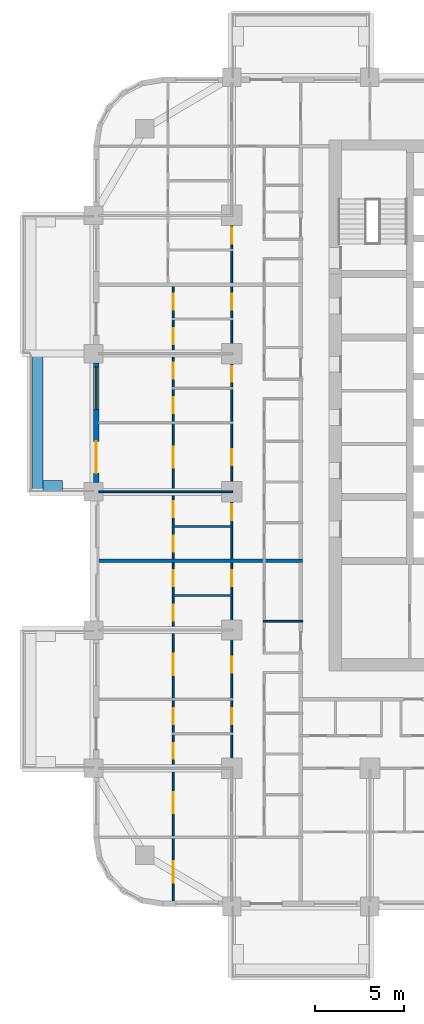
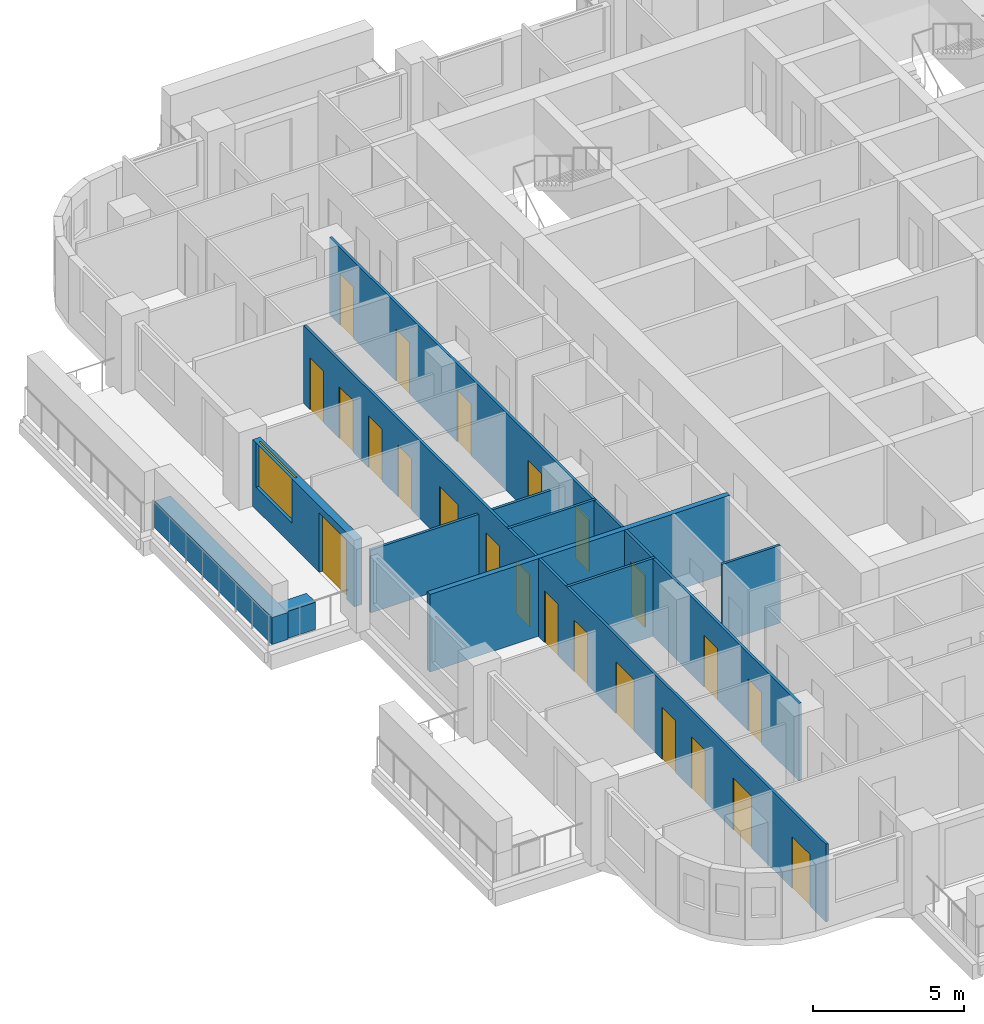
# One storey, part 5 of 18: 23 doors, 10 walls, 1 window, 24 openings.
"""IFC4 building model written with IfcOpenShell, lengths in metres."""

from ifc_helpers import new_model, si_unit, direction, frame, frame_2d, origin, place, context, subcontext, project, spatial, rectangle, extrude, material, layer, layer_set, type_object, element, fill, save


model = new_model("IFC4")

# Units and contexts
model_context = context("Model", 3, precision=1e-05, world=origin(), true_north=direction((0.0, 1.0)))
body_context = subcontext(model_context, "Body", "Model", "MODEL_VIEW")
ifc_project = project(units=[si_unit("LENGTHUNIT", "METRE"), si_unit("AREAUNIT", "SQUARE_METRE"), si_unit("VOLUMEUNIT", "CUBIC_METRE"), si_unit("PLANEANGLEUNIT", "RADIAN"), si_unit("MASSUNIT", "GRAM", prefix="KILO")], contexts=[model_context])

# Site, building, storey
site_placement = place(None, origin())
site = spatial("IfcSite", under=ifc_project, at=site_placement, CompositionType="ELEMENT")
building_placement = place(site_placement, origin())
building = spatial("IfcBuilding", under=site, at=building_placement, Name="Ludao Terraces", CompositionType="ELEMENT")
storey_placement = place(building_placement, frame((0.0, 0.0, 29.699951171875)))
storey = spatial("IfcBuildingStorey", under=building, at=storey_placement, Name="L07", CompositionType="ELEMENT", Elevation=29.699951171875)

# Walls
ifc_material_1 = material(Name="Concrete C40", Category="concrete")
ifc_layer_1 = layer(ifc_material_1, 0.60009765625)
ifc_layer_set_1 = layer_set([ifc_layer_1], Name="ENV Planter trough 600")
wall_type_1 = type_object("IfcWallType", Name="ENV Planter trough 600", PredefinedType="USERDEFINED", material=ifc_layer_set_1)
wall_1_placement = place(storey_placement, frame((58.449951171875, 65.0, 0.0), z_axis=(0.0, 0.0, 1.0), x_axis=(0.0, 1.0, 0.0)))
element("IfcWall", 1, at=wall_1_placement, inside=storey, type_object=wall_type_1, Name="PL-L07-W3", ObjectType="PLANTER", PredefinedType="USERDEFINED", context=body_context, shape_type="SweptSolid", body=[
    extrude(rectangle(XDim=7.800048828125, YDim=0.60009765625, at=frame_2d((3.89990234375, 0.0))), origin(), (0.0, 0.0, 1.0), 1.10009765625),
])
wall_2_placement = place(storey_placement, frame((58.75, 65.35009765625, 0.0), z_axis=(0.0, 0.0, 1.0), x_axis=(1.0, 0.0, 0.0)))
element("IfcWall", 2, at=wall_2_placement, inside=storey, type_object=wall_type_1, Name="PL-L07-W3-SA", ObjectType="PLANTER", PredefinedType="USERDEFINED", context=body_context, shape_type="SweptSolid", body=[
    extrude(rectangle(XDim=1.10009765625, YDim=0.60009765625, at=frame_2d((0.550048828125, 0.0))), origin(), (0.0, 0.0, 1.0), 1.10009765625),
])

# Wall, openings, door, window
ifc_material_2 = material(Name="Granite cladding", Category="masonry")
ifc_layer_2 = layer(ifc_material_2, 0.0400390625, Category="stone")
ifc_material_3 = material(Name="Mineral wool")
ifc_layer_3 = layer(ifc_material_3, 0.06005859375)
ifc_layer_4 = layer(ifc_material_1, 0.199951171875, Category="concrete")
ifc_layer_set_2 = layer_set([ifc_layer_2, ifc_layer_3, ifc_layer_4], Name="ENV Stone-clad wall 300")
wall_type_2 = type_object("IfcWallType", Name="ENV Stone-clad wall 300", PredefinedType="SOLIDWALL", material=ifc_layer_set_2)
wall_3_placement = place(storey_placement, frame((61.75, 65.52490234375, 0.0), z_axis=(0.0, 0.0, 1.0), x_axis=(0.0, 1.0, 0.0)))
wall_3 = element("IfcWall", 3, at=wall_3_placement, inside=storey, type_object=wall_type_2, Name="EW-L07-W4", PredefinedType="SOLIDWALL", context=body_context, shape_type="SweptSolid", body=[
    extrude(rectangle(XDim=6.75, YDim=0.300048828125, at=frame_2d((3.375, 0.0))), origin(), (0.0, 0.0, 1.0), 2.699951171875),
])
opening_1_placement = place(wall_3_placement, frame((0.52490234375, 0.0, 0.0)))
opening_1 = element("IfcOpeningElement", 4, at=opening_1_placement, cuts=wall_3, Name="Opening BD", PredefinedType="OPENING", context=body_context, shape_type="SweptSolid", body=[
    extrude(rectangle(XDim=1.800048828125, YDim=2.39990234375, at=frame_2d((0.89990234375, 1.199951171875))), frame((0.0, 0.16015625, 0.0), z_axis=(0.0, -1.0, 0.0), x_axis=(1.0, 0.0, 0.0)), (0.0, 0.0, 1.0), 0.320068359375),
])
opening_2_placement = place(wall_3_placement, frame((4.125, 0.0, 0.89990234375)))
opening_2 = element("IfcOpeningElement", 5, at=opening_2_placement, cuts=wall_3, Name="Opening W1", PredefinedType="OPENING", context=body_context, shape_type="SweptSolid", body=[
    extrude(rectangle(XDim=2.39990234375, YDim=1.800048828125, at=frame_2d((1.199951171875, 0.89990234375))), frame((0.0, 0.16015625, 0.0), z_axis=(0.0, -1.0, 0.0), x_axis=(1.0, 0.0, 0.0)), (0.0, 0.0, 1.0), 0.320068359375),
])
ifc_material_4 = material(Name="Aluminium glazed door", Category="aluminium")
ifc_layer_5 = layer(ifc_material_4, 0.06005859375)
ifc_layer_set_3 = layer_set([ifc_layer_5], Name="ENV Balcony door BD 1800x2400")
door_type_1 = type_object("IfcDoorType", Name="ENV Balcony door BD 1800x2400", OperationType="DOUBLE_DOOR_SINGLE_SWING", PredefinedType="DOOR", material=ifc_layer_set_3)
door_1_placement = place(opening_1_placement, origin())
door_1 = element("IfcDoor", 6, at=door_1_placement, inside=storey, type_object=door_type_1, Name="BD-L07-W4-1", OperationType="DOUBLE_DOOR_SINGLE_SWING", OverallHeight=2.39990234375, OverallWidth=1.800048828125, PredefinedType="DOOR", context=body_context, shape_type="SweptSolid", body=[
    extrude(rectangle(XDim=1.800048828125, YDim=2.39990234375, at=frame_2d((0.89990234375, 1.199951171875))), frame((0.0, 0.02490234375, 0.0), z_axis=(0.0, -1.0, 0.0), x_axis=(1.0, 0.0, 0.0)), (0.0, 0.0, 1.0), 0.050048828125),
])
fill(opening_1, door_1)
ifc_material_5 = material(Name="Clear glass in aluminium frame", Category="aluminium")
ifc_layer_6 = layer(ifc_material_5, 0.06005859375)
ifc_layer_set_4 = layer_set([ifc_layer_6], Name="ENV Window W1 2400x1800")
window_type = type_object("IfcWindowType", Name="ENV Window W1 2400x1800", PartitioningType="DOUBLE_PANEL_VERTICAL", PredefinedType="WINDOW", material=ifc_layer_set_4)
window_placement = place(opening_2_placement, origin())
window = element("IfcWindow", 7, at=window_placement, inside=storey, type_object=window_type, Name="W-L07-W4-2", OverallHeight=1.800048828125, OverallWidth=2.39990234375, PartitioningType="DOUBLE_PANEL_VERTICAL", PredefinedType="WINDOW", context=body_context, shape_type="SweptSolid", body=[
    extrude(rectangle(XDim=2.39990234375, YDim=1.800048828125, at=frame_2d((1.199951171875, 0.89990234375))), frame((0.0, 0.030029296875, 0.0), z_axis=(0.0, -1.0, 0.0), x_axis=(1.0, 0.0, 0.0)), (0.0, 0.0, 1.0), 0.06005859375),
])
fill(opening_2, window)

# Walls
ifc_material_6 = material(Name="Gypsum plasterboard", Category="gypsum")
ifc_layer_7 = layer(ifc_material_6, 0.012451171875, Category="gypsum")
ifc_layer_8 = layer(ifc_material_3, 0.06005859375, Name="insulation")
ifc_material_7 = material(Name="Steel Q235", Category="steel")
ifc_layer_9 = layer(ifc_material_7, 0.014892578125, Name="stud")
ifc_layer_10 = layer(ifc_material_6, 0.012451171875, Category="gypsum")
ifc_layer_set_5 = layer_set([ifc_layer_7, ifc_layer_8, ifc_layer_9, ifc_layer_10], Name="INT Partition 100")
wall_type_3 = type_object("IfcWallType", Name="INT Partition 100", PredefinedType="PARTITIONING", material=ifc_layer_set_5)
wall_4_placement = place(storey_placement, frame((71.18017578125, 57.699951171875, 0.0), z_axis=(0.0, 0.0, 1.0), x_axis=(1.0, 0.0, 0.0)))
element("IfcWall", 8, at=wall_4_placement, inside=storey, type_object=wall_type_3, Name="PW-L07-PW027", PredefinedType="PARTITIONING", context=body_context, shape_type="SweptSolid", body=[
    extrude(rectangle(XDim=2.219970703125, YDim=0.10009765625, at=frame_2d((1.10986328125, 0.0))), origin(), (0.0, 0.0, 1.0), 3.150146484375),
])
for number, where, z_axis, x_axis, name in (
    (9, (66.050048828125, 59.14990234375, 0.0), (0.0, 0.0, 1.0), (1.0, 0.0, 0.0), "PW-L07-PW029"),
    (10, (66.050048828125, 63.050048828125, 0.0), (0.0, 0.0, 1.0), (1.0, 0.0, 0.0), "PW-L07-PW034"),
):
    element("IfcWall", number, at=place(storey_placement, frame(where, z_axis=z_axis, x_axis=x_axis)), inside=storey, type_object=wall_type_3, Name=name, PredefinedType="PARTITIONING", context=body_context, shape_type="SweptSolid", body=[
        extrude(rectangle(XDim=3.400146484375, YDim=0.10009765625, at=frame_2d((1.7001953125, 0.0))), origin(), (0.0, 0.0, 1.0), 3.150146484375),
    ])
wall_5_placement = place(storey_placement, frame((61.900146484375, 65.0, 0.0), z_axis=(0.0, 0.0, 1.0), x_axis=(1.0, 0.0, 0.0)))
element("IfcWall", 11, at=wall_5_placement, inside=storey, type_object=wall_type_3, Name="PW-L07-PW038", PredefinedType="PARTITIONING", context=body_context, shape_type="SweptSolid", body=[
    extrude(rectangle(XDim=7.550048828125, YDim=0.10009765625, at=frame_2d((3.77490234375, 0.0))), origin(), (0.0, 0.0, 1.0), 2.550048828125),
])

# Wall, openings, doors
wall_6_placement = place(storey_placement, frame((66.10009765625, 41.900146484375, 0.0), z_axis=(0.0, 0.0, 1.0), x_axis=(0.0, 1.0, 0.0)))
wall_6 = element("IfcWall", 12, at=wall_6_placement, inside=storey, type_object=wall_type_3, Name="PW-L07-PW082", PredefinedType="PARTITIONING", context=body_context, shape_type="SweptSolid", body=[
    extrude(rectangle(XDim=34.699951171875, YDim=0.10009765625, at=frame_2d((17.35009765625, 0.0))), origin(), (0.0, 0.0, 1.0), 3.150146484375),
])
opening_3_placement = place(wall_6_placement, frame((1.050048828125, 0.0, 0.0)))
opening_3 = element("IfcOpeningElement", 13, at=opening_3_placement, cuts=wall_6, Name="Opening R02-001", PredefinedType="OPENING", context=body_context, shape_type="SweptSolid", body=[
    extrude(rectangle(XDim=1.199951171875, YDim=2.10009765625, at=frame_2d((0.60009765625, 1.050048828125))), frame((0.0, 0.06005859375, 0.0), z_axis=(0.0, -1.0, 0.0), x_axis=(1.0, 0.0, 0.0)), (0.0, 0.0, 1.0), 0.1201171875),
])
opening_4_placement = place(wall_6_placement, frame((4.949951171875, 0.0, 0.0)))
opening_4 = element("IfcOpeningElement", 14, at=opening_4_placement, cuts=wall_6, Name="Opening R02-018", PredefinedType="OPENING", context=body_context, shape_type="SweptSolid", body=[
    extrude(rectangle(XDim=1.199951171875, YDim=2.10009765625, at=frame_2d((0.60009765625, 1.050048828125))), frame((0.0, 0.06005859375, 0.0), z_axis=(0.0, -1.0, 0.0), x_axis=(1.0, 0.0, 0.0)), (0.0, 0.0, 1.0), 0.1201171875),
])
opening_5_placement = place(wall_6_placement, frame((8.02490234375, 0.0, 0.0)))
opening_5 = element("IfcOpeningElement", 15, at=opening_5_placement, cuts=wall_6, Name="Opening R02-030", PredefinedType="OPENING", context=body_context, shape_type="SweptSolid", body=[
    extrude(rectangle(XDim=0.89990234375, YDim=2.10009765625, at=frame_2d((0.449951171875, 1.050048828125))), frame((0.0, 0.06005859375, 0.0), z_axis=(0.0, -1.0, 0.0), x_axis=(1.0, 0.0, 0.0)), (0.0, 0.0, 1.0), 0.1201171875),
])
opening_6_placement = place(wall_6_placement, frame((9.97509765625, 0.0, 0.0)))
opening_6 = element("IfcOpeningElement", 16, at=opening_6_placement, cuts=wall_6, Name="Opening R02-043", PredefinedType="OPENING", context=body_context, shape_type="SweptSolid", body=[
    extrude(rectangle(XDim=0.89990234375, YDim=2.10009765625, at=frame_2d((0.449951171875, 1.050048828125))), frame((0.0, 0.06005859375, 0.0), z_axis=(0.0, -1.0, 0.0), x_axis=(1.0, 0.0, 0.0)), (0.0, 0.0, 1.0), 0.1201171875),
])
opening_7_placement = place(wall_6_placement, frame((12.75, 0.0, 0.0)))
opening_7 = element("IfcOpeningElement", 17, at=opening_7_placement, cuts=wall_6, Name="Opening R02-051", PredefinedType="OPENING", context=body_context, shape_type="SweptSolid", body=[
    extrude(rectangle(XDim=1.199951171875, YDim=2.10009765625, at=frame_2d((0.60009765625, 1.050048828125))), frame((0.0, 0.06005859375, 0.0), z_axis=(0.0, -1.0, 0.0), x_axis=(1.0, 0.0, 0.0)), (0.0, 0.0, 1.0), 0.1201171875),
])
opening_8_placement = place(wall_6_placement, frame((15.824951171875, 0.0, 0.0)))
opening_8 = element("IfcOpeningElement", 18, at=opening_8_placement, cuts=wall_6, Name="Opening R02-063", PredefinedType="OPENING", context=body_context, shape_type="SweptSolid", body=[
    extrude(rectangle(XDim=0.89990234375, YDim=2.10009765625, at=frame_2d((0.449951171875, 1.050048828125))), frame((0.0, 0.06005859375, 0.0), z_axis=(0.0, -1.0, 0.0), x_axis=(1.0, 0.0, 0.0)), (0.0, 0.0, 1.0), 0.1201171875),
])
opening_9_placement = place(wall_6_placement, frame((17.77490234375, 0.0, 0.0)))
opening_9 = element("IfcOpeningElement", 19, at=opening_9_placement, cuts=wall_6, Name="Opening R02-067", PredefinedType="OPENING", context=body_context, shape_type="SweptSolid", body=[
    extrude(rectangle(XDim=0.89990234375, YDim=2.10009765625, at=frame_2d((0.449951171875, 1.050048828125))), frame((0.0, 0.06005859375, 0.0), z_axis=(0.0, -1.0, 0.0), x_axis=(1.0, 0.0, 0.0)), (0.0, 0.0, 1.0), 0.1201171875),
])
opening_10_placement = place(wall_6_placement, frame((19.72509765625, 0.0, 0.0)))
opening_10 = element("IfcOpeningElement", 20, at=opening_10_placement, cuts=wall_6, Name="Opening R02-072", PredefinedType="OPENING", context=body_context, shape_type="SweptSolid", body=[
    extrude(rectangle(XDim=0.89990234375, YDim=2.10009765625, at=frame_2d((0.449951171875, 1.050048828125))), frame((0.0, 0.06005859375, 0.0), z_axis=(0.0, -1.0, 0.0), x_axis=(1.0, 0.0, 0.0)), (0.0, 0.0, 1.0), 0.1201171875),
])
opening_11_placement = place(wall_6_placement, frame((21.675048828125, 0.0, 0.0)))
opening_11 = element("IfcOpeningElement", 21, at=opening_11_placement, cuts=wall_6, Name="Opening R02-081", PredefinedType="OPENING", context=body_context, shape_type="SweptSolid", body=[
    extrude(rectangle(XDim=0.89990234375, YDim=2.10009765625, at=frame_2d((0.449951171875, 1.050048828125))), frame((0.0, 0.06005859375, 0.0), z_axis=(0.0, -1.0, 0.0), x_axis=(1.0, 0.0, 0.0)), (0.0, 0.0, 1.0), 0.1201171875),
])
opening_12_placement = place(wall_6_placement, frame((24.449951171875, 0.0, 0.0)))
opening_12 = element("IfcOpeningElement", 22, at=opening_12_placement, cuts=wall_6, Name="Opening R02-089", PredefinedType="OPENING", context=body_context, shape_type="SweptSolid", body=[
    extrude(rectangle(XDim=1.199951171875, YDim=2.10009765625, at=frame_2d((0.60009765625, 1.050048828125))), frame((0.0, 0.06005859375, 0.0), z_axis=(0.0, -1.0, 0.0), x_axis=(1.0, 0.0, 0.0)), (0.0, 0.0, 1.0), 0.1201171875),
])
opening_13_placement = place(wall_6_placement, frame((27.52490234375, 0.0, 0.0)))
opening_13 = element("IfcOpeningElement", 23, at=opening_13_placement, cuts=wall_6, Name="Opening R02-100", PredefinedType="OPENING", context=body_context, shape_type="SweptSolid", body=[
    extrude(rectangle(XDim=0.89990234375, YDim=2.10009765625, at=frame_2d((0.449951171875, 1.050048828125))), frame((0.0, 0.06005859375, 0.0), z_axis=(0.0, -1.0, 0.0), x_axis=(1.0, 0.0, 0.0)), (0.0, 0.0, 1.0), 0.1201171875),
])
opening_14_placement = place(wall_6_placement, frame((29.47509765625, 0.0, 0.0)))
opening_14 = element("IfcOpeningElement", 24, at=opening_14_placement, cuts=wall_6, Name="Opening R02-106", PredefinedType="OPENING", context=body_context, shape_type="SweptSolid", body=[
    extrude(rectangle(XDim=0.89990234375, YDim=2.10009765625, at=frame_2d((0.449951171875, 1.050048828125))), frame((0.0, 0.06005859375, 0.0), z_axis=(0.0, -1.0, 0.0), x_axis=(1.0, 0.0, 0.0)), (0.0, 0.0, 1.0), 0.1201171875),
])
opening_15_placement = place(wall_6_placement, frame((31.425048828125, 0.0, 0.0)))
opening_15 = element("IfcOpeningElement", 25, at=opening_15_placement, cuts=wall_6, Name="Opening R02-113", PredefinedType="OPENING", context=body_context, shape_type="SweptSolid", body=[
    extrude(rectangle(XDim=0.89990234375, YDim=2.10009765625, at=frame_2d((0.449951171875, 1.050048828125))), frame((0.0, 0.06005859375, 0.0), z_axis=(0.0, -1.0, 0.0), x_axis=(1.0, 0.0, 0.0)), (0.0, 0.0, 1.0), 0.1201171875),
])
opening_16_placement = place(wall_6_placement, frame((33.375, 0.0, 0.0)))
opening_16 = element("IfcOpeningElement", 26, at=opening_16_placement, cuts=wall_6, Name="Opening R02-122", PredefinedType="OPENING", context=body_context, shape_type="SweptSolid", body=[
    extrude(rectangle(XDim=0.89990234375, YDim=2.10009765625, at=frame_2d((0.449951171875, 1.050048828125))), frame((0.0, 0.06005859375, 0.0), z_axis=(0.0, -1.0, 0.0), x_axis=(1.0, 0.0, 0.0)), (0.0, 0.0, 1.0), 0.1201171875),
])
ifc_material_8 = material(Name="Timber door leaf", Category="wood")
door_type_2 = type_object("IfcDoorType", Name="INT Bathroom door 900", OperationType="SINGLE_SWING_LEFT", PredefinedType="DOOR", material=ifc_material_8)
door_2_placement = place(opening_5_placement, origin())
door_2 = element("IfcDoor", 27, at=door_2_placement, inside=storey, type_object=door_type_2, Name="DOOR 030", OperationType="SINGLE_SWING_RIGHT", OverallHeight=2.10009765625, OverallWidth=0.89990234375, PredefinedType="DOOR", context=body_context, shape_type="SweptSolid", body=[
    extrude(rectangle(XDim=0.89990234375, YDim=2.10009765625, at=frame_2d((0.449951171875, 1.050048828125))), frame((0.0, 0.02490234375, 0.0), z_axis=(0.0, -1.0, 0.0), x_axis=(1.0, 0.0, 0.0)), (0.0, 0.0, 1.0), 0.050048828125),
])
fill(opening_5, door_2)
door_3_placement = place(opening_8_placement, origin())
door_3 = element("IfcDoor", 28, at=door_3_placement, inside=storey, type_object=door_type_2, Name="DOOR 063", OperationType="SINGLE_SWING_LEFT", OverallHeight=2.10009765625, OverallWidth=0.89990234375, PredefinedType="DOOR", context=body_context, shape_type="SweptSolid", body=[
    extrude(rectangle(XDim=0.89990234375, YDim=2.10009765625, at=frame_2d((0.449951171875, 1.050048828125))), frame((0.0, 0.02490234375, 0.0), z_axis=(0.0, -1.0, 0.0), x_axis=(1.0, 0.0, 0.0)), (0.0, 0.0, 1.0), 0.050048828125),
])
fill(opening_8, door_3)
door_4_placement = place(opening_10_placement, origin())
door_4 = element("IfcDoor", 29, at=door_4_placement, inside=storey, type_object=door_type_2, Name="DOOR 072", OperationType="SINGLE_SWING_RIGHT", OverallHeight=2.10009765625, OverallWidth=0.89990234375, PredefinedType="DOOR", context=body_context, shape_type="SweptSolid", body=[
    extrude(rectangle(XDim=0.89990234375, YDim=2.10009765625, at=frame_2d((0.449951171875, 1.050048828125))), frame((0.0, 0.02490234375, 0.0), z_axis=(0.0, -1.0, 0.0), x_axis=(1.0, 0.0, 0.0)), (0.0, 0.0, 1.0), 0.050048828125),
])
fill(opening_10, door_4)
door_5_placement = place(opening_13_placement, origin())
door_5 = element("IfcDoor", 30, at=door_5_placement, inside=storey, type_object=door_type_2, Name="DOOR 100", OperationType="SINGLE_SWING_RIGHT", OverallHeight=2.10009765625, OverallWidth=0.89990234375, PredefinedType="DOOR", context=body_context, shape_type="SweptSolid", body=[
    extrude(rectangle(XDim=0.89990234375, YDim=2.10009765625, at=frame_2d((0.449951171875, 1.050048828125))), frame((0.0, 0.02490234375, 0.0), z_axis=(0.0, -1.0, 0.0), x_axis=(1.0, 0.0, 0.0)), (0.0, 0.0, 1.0), 0.050048828125),
])
fill(opening_13, door_5)
door_6_placement = place(opening_15_placement, origin())
door_6 = element("IfcDoor", 31, at=door_6_placement, inside=storey, type_object=door_type_2, Name="DOOR 113", OperationType="SINGLE_SWING_RIGHT", OverallHeight=2.10009765625, OverallWidth=0.89990234375, PredefinedType="DOOR", context=body_context, shape_type="SweptSolid", body=[
    extrude(rectangle(XDim=0.89990234375, YDim=2.10009765625, at=frame_2d((0.449951171875, 1.050048828125))), frame((0.0, 0.02490234375, 0.0), z_axis=(0.0, -1.0, 0.0), x_axis=(1.0, 0.0, 0.0)), (0.0, 0.0, 1.0), 0.050048828125),
])
fill(opening_15, door_6)
door_type_3 = type_object("IfcDoorType", Name="INT Double door 1200", OperationType="DOUBLE_DOOR_SINGLE_SWING", PredefinedType="DOOR", material=ifc_material_8)
door_7_placement = place(opening_3_placement, origin())
door_7 = element("IfcDoor", 32, at=door_7_placement, inside=storey, type_object=door_type_3, Name="DOOR 001", OperationType="DOUBLE_DOOR_SINGLE_SWING", OverallHeight=2.10009765625, OverallWidth=1.199951171875, PredefinedType="DOOR", context=body_context, shape_type="SweptSolid", body=[
    extrude(rectangle(XDim=1.199951171875, YDim=2.10009765625, at=frame_2d((0.60009765625, 1.050048828125))), frame((0.0, 0.02490234375, 0.0), z_axis=(0.0, -1.0, 0.0), x_axis=(1.0, 0.0, 0.0)), (0.0, 0.0, 1.0), 0.050048828125),
])
fill(opening_3, door_7)
door_8_placement = place(opening_4_placement, origin())
door_8 = element("IfcDoor", 33, at=door_8_placement, inside=storey, type_object=door_type_3, Name="DOOR 018", OperationType="DOUBLE_DOOR_SINGLE_SWING", OverallHeight=2.10009765625, OverallWidth=1.199951171875, PredefinedType="DOOR", context=body_context, shape_type="SweptSolid", body=[
    extrude(rectangle(XDim=1.199951171875, YDim=2.10009765625, at=frame_2d((0.60009765625, 1.050048828125))), frame((0.0, 0.02490234375, 0.0), z_axis=(0.0, -1.0, 0.0), x_axis=(1.0, 0.0, 0.0)), (0.0, 0.0, 1.0), 0.050048828125),
])
fill(opening_4, door_8)
door_9_placement = place(opening_7_placement, origin())
door_9 = element("IfcDoor", 34, at=door_9_placement, inside=storey, type_object=door_type_3, Name="DOOR 051", OperationType="DOUBLE_DOOR_SINGLE_SWING", OverallHeight=2.10009765625, OverallWidth=1.199951171875, PredefinedType="DOOR", context=body_context, shape_type="SweptSolid", body=[
    extrude(rectangle(XDim=1.199951171875, YDim=2.10009765625, at=frame_2d((0.60009765625, 1.050048828125))), frame((0.0, 0.02490234375, 0.0), z_axis=(0.0, -1.0, 0.0), x_axis=(1.0, 0.0, 0.0)), (0.0, 0.0, 1.0), 0.050048828125),
])
fill(opening_7, door_9)
door_10_placement = place(opening_12_placement, origin())
door_10 = element("IfcDoor", 35, at=door_10_placement, inside=storey, type_object=door_type_3, Name="DOOR 089", OperationType="DOUBLE_DOOR_SINGLE_SWING", OverallHeight=2.10009765625, OverallWidth=1.199951171875, PredefinedType="DOOR", context=body_context, shape_type="SweptSolid", body=[
    extrude(rectangle(XDim=1.199951171875, YDim=2.10009765625, at=frame_2d((0.60009765625, 1.050048828125))), frame((0.0, 0.02490234375, 0.0), z_axis=(0.0, -1.0, 0.0), x_axis=(1.0, 0.0, 0.0)), (0.0, 0.0, 1.0), 0.050048828125),
])
fill(opening_12, door_10)
door_type_4 = type_object("IfcDoorType", Name="INT Room door 900", OperationType="SINGLE_SWING_LEFT", PredefinedType="DOOR", material=ifc_material_8)
door_11_placement = place(opening_6_placement, origin())
door_11 = element("IfcDoor", 36, at=door_11_placement, inside=storey, type_object=door_type_4, Name="DOOR 043", OperationType="SINGLE_SWING_RIGHT", OverallHeight=2.10009765625, OverallWidth=0.89990234375, PredefinedType="DOOR", context=body_context, shape_type="SweptSolid", body=[
    extrude(rectangle(XDim=0.89990234375, YDim=2.10009765625, at=frame_2d((0.449951171875, 1.050048828125))), frame((0.0, 0.02490234375, 0.0), z_axis=(0.0, -1.0, 0.0), x_axis=(1.0, 0.0, 0.0)), (0.0, 0.0, 1.0), 0.050048828125),
])
fill(opening_6, door_11)
door_12_placement = place(opening_9_placement, origin())
door_12 = element("IfcDoor", 37, at=door_12_placement, inside=storey, type_object=door_type_4, Name="DOOR 067", OperationType="SINGLE_SWING_LEFT", OverallHeight=2.10009765625, OverallWidth=0.89990234375, PredefinedType="DOOR", context=body_context, shape_type="SweptSolid", body=[
    extrude(rectangle(XDim=0.89990234375, YDim=2.10009765625, at=frame_2d((0.449951171875, 1.050048828125))), frame((0.0, 0.02490234375, 0.0), z_axis=(0.0, -1.0, 0.0), x_axis=(1.0, 0.0, 0.0)), (0.0, 0.0, 1.0), 0.050048828125),
])
fill(opening_9, door_12)
door_13_placement = place(opening_11_placement, origin())
door_13 = element("IfcDoor", 38, at=door_13_placement, inside=storey, type_object=door_type_4, Name="DOOR 081", OperationType="SINGLE_SWING_RIGHT", OverallHeight=2.10009765625, OverallWidth=0.89990234375, PredefinedType="DOOR", context=body_context, shape_type="SweptSolid", body=[
    extrude(rectangle(XDim=0.89990234375, YDim=2.10009765625, at=frame_2d((0.449951171875, 1.050048828125))), frame((0.0, 0.02490234375, 0.0), z_axis=(0.0, -1.0, 0.0), x_axis=(1.0, 0.0, 0.0)), (0.0, 0.0, 1.0), 0.050048828125),
])
fill(opening_11, door_13)
door_14_placement = place(opening_14_placement, origin())
door_14 = element("IfcDoor", 39, at=door_14_placement, inside=storey, type_object=door_type_4, Name="DOOR 106", OperationType="SINGLE_SWING_LEFT", OverallHeight=2.10009765625, OverallWidth=0.89990234375, PredefinedType="DOOR", context=body_context, shape_type="SweptSolid", body=[
    extrude(rectangle(XDim=0.89990234375, YDim=2.10009765625, at=frame_2d((0.449951171875, 1.050048828125))), frame((0.0, 0.02490234375, 0.0), z_axis=(0.0, -1.0, 0.0), x_axis=(1.0, 0.0, 0.0)), (0.0, 0.0, 1.0), 0.050048828125),
])
fill(opening_14, door_14)
door_15_placement = place(opening_16_placement, origin())
door_15 = element("IfcDoor", 40, at=door_15_placement, inside=storey, type_object=door_type_4, Name="DOOR 122", OperationType="SINGLE_SWING_LEFT", OverallHeight=2.10009765625, OverallWidth=0.89990234375, PredefinedType="DOOR", context=body_context, shape_type="SweptSolid", body=[
    extrude(rectangle(XDim=0.89990234375, YDim=2.10009765625, at=frame_2d((0.449951171875, 1.050048828125))), frame((0.0, 0.02490234375, 0.0), z_axis=(0.0, -1.0, 0.0), x_axis=(1.0, 0.0, 0.0)), (0.0, 0.0, 1.0), 0.050048828125),
])
fill(opening_16, door_15)

wall_7_placement = place(storey_placement, frame((69.39990234375, 49.39990234375, 0.0), z_axis=(0.0, 0.0, 1.0), x_axis=(0.0, 1.0, 0.0)))
wall_7 = element("IfcWall", 41, at=wall_7_placement, inside=storey, type_object=wall_type_3, Name="PW-L07-PW083-2", PredefinedType="PARTITIONING", context=body_context, shape_type="SweptSolid", body=[
    extrude(rectangle(XDim=31.2001953125, YDim=0.10009765625, at=frame_2d((15.60009765625, 0.0))), origin(), (0.0, 0.0, 1.0), 3.150146484375),
])
opening_17_placement = place(wall_7_placement, frame((2.47509765625, 0.0, 0.0)))
opening_17 = element("IfcOpeningElement", 42, at=opening_17_placement, cuts=wall_7, Name="Opening R02-044", PredefinedType="OPENING", context=body_context, shape_type="SweptSolid", body=[
    extrude(rectangle(XDim=0.89990234375, YDim=2.10009765625, at=frame_2d((0.449951171875, 1.050048828125))), frame((0.0, 0.06005859375, 0.0), z_axis=(0.0, -1.0, 0.0), x_axis=(1.0, 0.0, 0.0)), (0.0, 0.0, 1.0), 0.1201171875),
])
opening_18_placement = place(wall_7_placement, frame((5.400146484375, 0.0, 0.0)))
opening_18 = element("IfcOpeningElement", 43, at=opening_18_placement, cuts=wall_7, Name="Opening R02-052", PredefinedType="OPENING", context=body_context, shape_type="SweptSolid", body=[
    extrude(rectangle(XDim=0.89990234375, YDim=2.10009765625, at=frame_2d((0.449951171875, 1.050048828125))), frame((0.0, 0.06005859375, 0.0), z_axis=(0.0, -1.0, 0.0), x_axis=(1.0, 0.0, 0.0)), (0.0, 0.0, 1.0), 0.1201171875),
])
opening_19_placement = place(wall_7_placement, frame((10.275146484375, 0.0, 0.0)))
opening_19 = element("IfcOpeningElement", 44, at=opening_19_placement, cuts=wall_7, Name="Opening R02-068", PredefinedType="OPENING", context=body_context, shape_type="SweptSolid", body=[
    extrude(rectangle(XDim=0.89990234375, YDim=2.10009765625, at=frame_2d((0.449951171875, 1.050048828125))), frame((0.0, 0.06005859375, 0.0), z_axis=(0.0, -1.0, 0.0), x_axis=(1.0, 0.0, 0.0)), (0.0, 0.0, 1.0), 0.1201171875),
])
opening_20_placement = place(wall_7_placement, frame((14.000244140625, 0.0, 0.0)))
opening_20 = element("IfcOpeningElement", 45, at=opening_20_placement, cuts=wall_7, Name="Opening R02-079", PredefinedType="OPENING", context=body_context, shape_type="SweptSolid", body=[
    extrude(rectangle(XDim=0.89990234375, YDim=2.10009765625, at=frame_2d((0.449951171875, 1.050048828125))), frame((0.0, 0.06005859375, 0.0), z_axis=(0.0, -1.0, 0.0), x_axis=(1.0, 0.0, 0.0)), (0.0, 0.0, 1.0), 0.1201171875),
])
opening_21_placement = place(wall_7_placement, frame((17.10009765625, 0.0, 0.0)))
opening_21 = element("IfcOpeningElement", 46, at=opening_21_placement, cuts=wall_7, Name="Opening R02-090", PredefinedType="OPENING", context=body_context, shape_type="SweptSolid", body=[
    extrude(rectangle(XDim=0.89990234375, YDim=2.10009765625, at=frame_2d((0.449951171875, 1.050048828125))), frame((0.0, 0.06005859375, 0.0), z_axis=(0.0, -1.0, 0.0), x_axis=(1.0, 0.0, 0.0)), (0.0, 0.0, 1.0), 0.1201171875),
])
opening_22_placement = place(wall_7_placement, frame((21.80029296875, 0.0, 0.0)))
opening_22 = element("IfcOpeningElement", 47, at=opening_22_placement, cuts=wall_7, Name="Opening R02-105", PredefinedType="OPENING", context=body_context, shape_type="SweptSolid", body=[
    extrude(rectangle(XDim=0.89990234375, YDim=2.10009765625, at=frame_2d((0.449951171875, 1.050048828125))), frame((0.0, 0.06005859375, 0.0), z_axis=(0.0, -1.0, 0.0), x_axis=(1.0, 0.0, 0.0)), (0.0, 0.0, 1.0), 0.1201171875),
])
opening_23_placement = place(wall_7_placement, frame((25.875244140625, 0.0, 0.0)))
opening_23 = element("IfcOpeningElement", 48, at=opening_23_placement, cuts=wall_7, Name="Opening R02-123", PredefinedType="OPENING", context=body_context, shape_type="SweptSolid", body=[
    extrude(rectangle(XDim=0.89990234375, YDim=2.10009765625, at=frame_2d((0.449951171875, 1.050048828125))), frame((0.0, 0.06005859375, 0.0), z_axis=(0.0, -1.0, 0.0), x_axis=(1.0, 0.0, 0.0)), (0.0, 0.0, 1.0), 0.1201171875),
])
opening_24_placement = place(wall_7_placement, frame((29.60009765625, 0.0, 0.0)))
opening_24 = element("IfcOpeningElement", 49, at=opening_24_placement, cuts=wall_7, Name="Opening R02-135", PredefinedType="OPENING", context=body_context, shape_type="SweptSolid", body=[
    extrude(rectangle(XDim=0.89990234375, YDim=2.10009765625, at=frame_2d((0.449951171875, 1.050048828125))), frame((0.0, 0.06005859375, 0.0), z_axis=(0.0, -1.0, 0.0), x_axis=(1.0, 0.0, 0.0)), (0.0, 0.0, 1.0), 0.1201171875),
])
door_16_placement = place(opening_17_placement, origin())
door_16 = element("IfcDoor", 50, at=door_16_placement, inside=storey, type_object=door_type_4, Name="DOOR 044", OperationType="SINGLE_SWING_RIGHT", OverallHeight=2.10009765625, OverallWidth=0.89990234375, PredefinedType="DOOR", context=body_context, shape_type="SweptSolid", body=[
    extrude(rectangle(XDim=0.89990234375, YDim=2.10009765625, at=frame_2d((0.449951171875, 1.050048828125))), frame((0.0, 0.02490234375, 0.0), z_axis=(0.0, -1.0, 0.0), x_axis=(1.0, 0.0, 0.0)), (0.0, 0.0, 1.0), 0.050048828125),
])
fill(opening_17, door_16)
door_17_placement = place(opening_18_placement, origin())
door_17 = element("IfcDoor", 51, at=door_17_placement, inside=storey, type_object=door_type_4, Name="DOOR 052", OperationType="SINGLE_SWING_RIGHT", OverallHeight=2.10009765625, OverallWidth=0.89990234375, PredefinedType="DOOR", context=body_context, shape_type="SweptSolid", body=[
    extrude(rectangle(XDim=0.89990234375, YDim=2.10009765625, at=frame_2d((0.449951171875, 1.050048828125))), frame((0.0, 0.02490234375, 0.0), z_axis=(0.0, -1.0, 0.0), x_axis=(1.0, 0.0, 0.0)), (0.0, 0.0, 1.0), 0.050048828125),
])
fill(opening_18, door_17)
door_18_placement = place(opening_19_placement, origin())
door_18 = element("IfcDoor", 52, at=door_18_placement, inside=storey, type_object=door_type_4, Name="DOOR 068", OperationType="SINGLE_SWING_LEFT", OverallHeight=2.10009765625, OverallWidth=0.89990234375, PredefinedType="DOOR", context=body_context, shape_type="SweptSolid", body=[
    extrude(rectangle(XDim=0.89990234375, YDim=2.10009765625, at=frame_2d((0.449951171875, 1.050048828125))), frame((0.0, 0.02490234375, 0.0), z_axis=(0.0, -1.0, 0.0), x_axis=(1.0, 0.0, 0.0)), (0.0, 0.0, 1.0), 0.050048828125),
])
fill(opening_19, door_18)
door_19_placement = place(opening_20_placement, origin())
door_19 = element("IfcDoor", 53, at=door_19_placement, inside=storey, type_object=door_type_4, Name="DOOR 079", OperationType="SINGLE_SWING_LEFT", OverallHeight=2.10009765625, OverallWidth=0.89990234375, PredefinedType="DOOR", context=body_context, shape_type="SweptSolid", body=[
    extrude(rectangle(XDim=0.89990234375, YDim=2.10009765625, at=frame_2d((0.449951171875, 1.050048828125))), frame((0.0, 0.02490234375, 0.0), z_axis=(0.0, -1.0, 0.0), x_axis=(1.0, 0.0, 0.0)), (0.0, 0.0, 1.0), 0.050048828125),
])
fill(opening_20, door_19)
door_20_placement = place(opening_21_placement, origin())
door_20 = element("IfcDoor", 54, at=door_20_placement, inside=storey, type_object=door_type_4, Name="DOOR 090", OperationType="SINGLE_SWING_LEFT", OverallHeight=2.10009765625, OverallWidth=0.89990234375, PredefinedType="DOOR", context=body_context, shape_type="SweptSolid", body=[
    extrude(rectangle(XDim=0.89990234375, YDim=2.10009765625, at=frame_2d((0.449951171875, 1.050048828125))), frame((0.0, 0.02490234375, 0.0), z_axis=(0.0, -1.0, 0.0), x_axis=(1.0, 0.0, 0.0)), (0.0, 0.0, 1.0), 0.050048828125),
])
fill(opening_21, door_20)
door_21_placement = place(opening_22_placement, origin())
door_21 = element("IfcDoor", 55, at=door_21_placement, inside=storey, type_object=door_type_4, Name="DOOR 105", OperationType="SINGLE_SWING_LEFT", OverallHeight=2.10009765625, OverallWidth=0.89990234375, PredefinedType="DOOR", context=body_context, shape_type="SweptSolid", body=[
    extrude(rectangle(XDim=0.89990234375, YDim=2.10009765625, at=frame_2d((0.449951171875, 1.050048828125))), frame((0.0, 0.02490234375, 0.0), z_axis=(0.0, -1.0, 0.0), x_axis=(1.0, 0.0, 0.0)), (0.0, 0.0, 1.0), 0.050048828125),
])
fill(opening_22, door_21)
door_22_placement = place(opening_23_placement, origin())
door_22 = element("IfcDoor", 56, at=door_22_placement, inside=storey, type_object=door_type_4, Name="DOOR 123", OperationType="SINGLE_SWING_RIGHT", OverallHeight=2.10009765625, OverallWidth=0.89990234375, PredefinedType="DOOR", context=body_context, shape_type="SweptSolid", body=[
    extrude(rectangle(XDim=0.89990234375, YDim=2.10009765625, at=frame_2d((0.449951171875, 1.050048828125))), frame((0.0, 0.02490234375, 0.0), z_axis=(0.0, -1.0, 0.0), x_axis=(1.0, 0.0, 0.0)), (0.0, 0.0, 1.0), 0.050048828125),
])
fill(opening_23, door_22)
door_23_placement = place(opening_24_placement, origin())
door_23 = element("IfcDoor", 57, at=door_23_placement, inside=storey, type_object=door_type_4, Name="DOOR 135", OperationType="SINGLE_SWING_LEFT", OverallHeight=2.10009765625, OverallWidth=0.89990234375, PredefinedType="DOOR", context=body_context, shape_type="SweptSolid", body=[
    extrude(rectangle(XDim=0.89990234375, YDim=2.10009765625, at=frame_2d((0.449951171875, 1.050048828125))), frame((0.0, 0.02490234375, 0.0), z_axis=(0.0, -1.0, 0.0), x_axis=(1.0, 0.0, 0.0)), (0.0, 0.0, 1.0), 0.050048828125),
])
fill(opening_24, door_23)

# Wall
ifc_material_9 = material(Name="Autoclaved aerated concrete block B06 A3.5", Category="concrete")
ifc_layer_11 = layer(ifc_material_9, 0.199951171875)
ifc_layer_set_6 = layer_set([ifc_layer_11], Name="INT Party wall 200")
wall_type_4 = type_object("IfcWallType", Name="INT Party wall 200", PredefinedType="PARTITIONING", material=ifc_layer_set_6)
wall_8_placement = place(storey_placement, frame((61.900146484375, 61.10009765625, 0.0), z_axis=(0.0, 0.0, 1.0), x_axis=(1.0, 0.0, 0.0)))
element("IfcWall", 58, at=wall_8_placement, inside=storey, type_object=wall_type_4, Name="PW-L07-PW031", PredefinedType="PARTITIONING", context=body_context, shape_type="SweptSolid", body=[
    extrude(rectangle(XDim=11.5, YDim=0.199951171875, at=frame_2d((5.75, 0.0))), origin(), (0.0, 0.0, 1.0), 3.150146484375),
])

save(model, "model.ifc")
